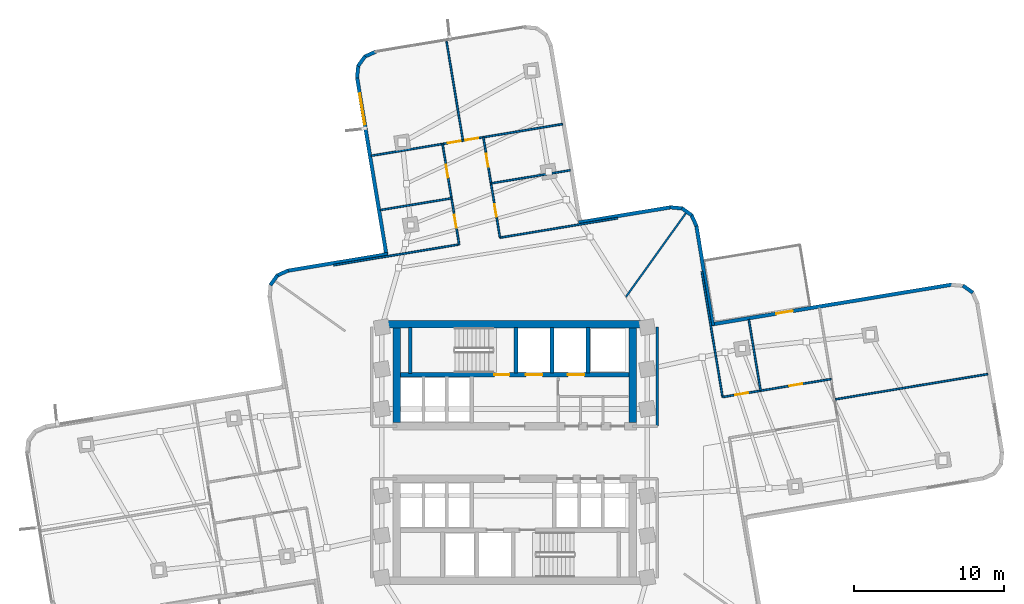
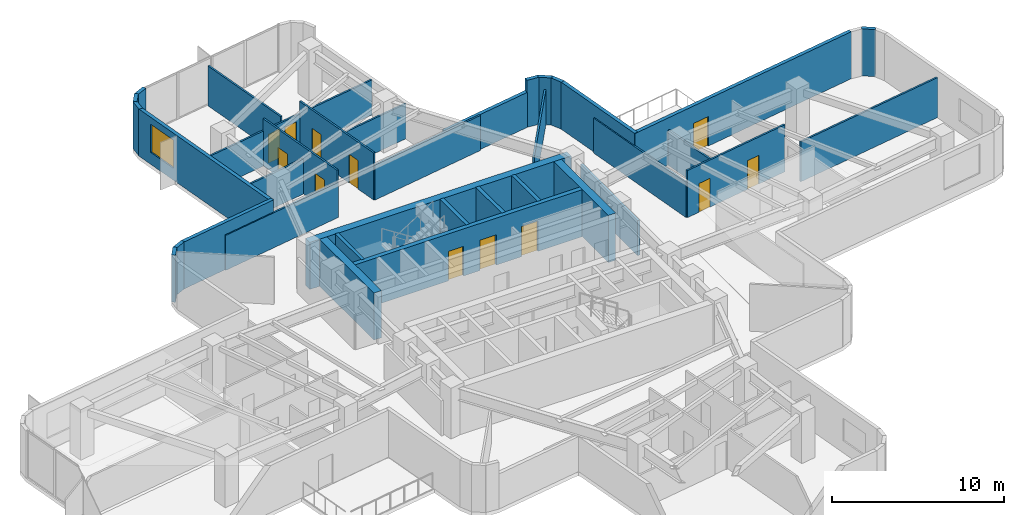
# One storey, part 9 of 13: 36 walls, 12 doors, 1 window, 13 openings.
"""IFC4 building model written with IfcOpenShell, lengths in metres."""

from ifc_helpers import new_model, si_unit, direction, frame, frame_2d, origin, place, context, subcontext, project, spatial, rectangle, extrude, material, layer, layer_set, type_object, element, fill, save


model = new_model("IFC4")

# Units and contexts
model_context = context("Model", 3, precision=1e-05, world=origin(), true_north=direction((0.0, 1.0)))
body_context = subcontext(model_context, "Body", "Model", "MODEL_VIEW")
ifc_project = project(units=[si_unit("LENGTHUNIT", "METRE"), si_unit("AREAUNIT", "SQUARE_METRE"), si_unit("VOLUMEUNIT", "CUBIC_METRE"), si_unit("PLANEANGLEUNIT", "RADIAN"), si_unit("MASSUNIT", "GRAM", prefix="KILO")], contexts=[model_context])

# Site, building, storey
site_placement = place(None, origin())
site = spatial("IfcSite", under=ifc_project, at=site_placement, CompositionType="ELEMENT")
building_placement = place(site_placement, origin())
building = spatial("IfcBuilding", under=site, at=building_placement, Name="Solmarez Civic Tower", CompositionType="ELEMENT")
storey_placement = place(building_placement, frame((0.0, 0.0, 96.47998046875)))
storey = spatial("IfcBuildingStorey", under=building, at=storey_placement, Name="L25", CompositionType="ELEMENT", Elevation=96.47998046875)

# Walls
ifc_material_1 = material(Name="Concrete C60/75", Category="concrete")
ifc_layer_1 = layer(ifc_material_1, 0.5)
ifc_layer_set_1 = layer_set([ifc_layer_1], Name="Concrete C60/75")
wall_type_1 = type_object("IfcWallType", Name="WALL-CORE-500", PredefinedType="SHEAR", material=ifc_layer_set_1)
wall_1_placement = place(storey_placement, frame((-8.780029296875, 8.56005859375, 0.0), z_axis=(0.0, 0.0, 1.0), x_axis=(1.0, 0.0, 0.0)))
element("IfcWall", 1, at=wall_1_placement, inside=storey, type_object=wall_type_1, Name="L25 Split-Core Structural Wall NCW-N-L25", PredefinedType="SHEAR", context=body_context, shape_type="SweptSolid", body=[
    extrude(rectangle(XDim=17.56005859375, YDim=0.5, at=frame_2d((8.780029296875, 0.0))), origin(), (0.0, 0.0, 1.0), 3.340087890625),
])
for number, where, z_axis, x_axis, name in (
    (2, (-7.8701171875, 2.0, 0.0), (0.0, 0.0, 1.0), (0.0, 1.0, 0.0), "L25 Split-Core Structural Wall NCW-W-L25"),
    (3, (7.8701171875, 8.31005859375, 0.0), (0.0, 0.0, 1.0), (0.0, -1.0, 0.0), "L25 Split-Core Structural Wall NCW-E-L25"),
):
    element("IfcWall", number, at=place(storey_placement, frame(where, z_axis=z_axis, x_axis=x_axis)), inside=storey, type_object=wall_type_1, Name=name, PredefinedType="SHEAR", context=body_context, shape_type="SweptSolid", body=[
        extrude(rectangle(XDim=6.31005859375, YDim=0.5, at=frame_2d((3.155029296875, 0.0))), origin(), (0.0, 0.0, 1.0), 3.340087890625),
    ])
ifc_material_2 = material(Name="Precast concrete C40/50", Category="concrete")
ifc_layer_2 = layer(ifc_material_2, 0.239990234375)
ifc_layer_set_2 = layer_set([ifc_layer_2], Name="Precast concrete C40/50")
wall_type_2 = type_object("IfcWallType", Name="WALL-EXT-240", PredefinedType="SOLIDWALL", material=ifc_layer_set_2)
wall_2_placement = place(storey_placement, frame((-16.2880859375, 11.159912109375, 0.0), z_axis=(0.0, 0.0, 1.0), x_axis=(0.583561896965, 0.812068662375, 0.0)))
element("IfcWall", 4, at=wall_2_placement, inside=storey, type_object=wall_type_2, Name="L25 Exterior Precast Wall 15", PredefinedType="SOLIDWALL", context=body_context, shape_type="SweptSolid", body=[
    extrude(rectangle(XDim=0.814208984375, YDim=0.239990234375, at=frame_2d((0.4072265625, 0.0))), origin(), (0.0, 0.0, 1.0), 3.340087890625),
])
wall_3_placement = place(storey_placement, frame((-15.85107421875, 11.791015625, 0.0), z_axis=(0.0, 0.0, 1.0), x_axis=(0.910868773958, 0.412696106872, 0.0)))
element("IfcWall", 5, at=wall_3_placement, inside=storey, type_object=wall_type_2, Name="L25 Exterior Precast Wall 16", PredefinedType="SOLIDWALL", context=body_context, shape_type="SweptSolid", body=[
    extrude(rectangle(XDim=0.8310546875, YDim=0.239990234375, at=frame_2d((0.41552734375, 0.0))), origin(), (0.0, 0.0, 1.0), 3.340087890625),
])
wall_4_placement = place(storey_placement, frame((-15.14208984375, 12.1201171875, 0.0), z_axis=(0.0, 0.0, 1.0), x_axis=(0.986586085056, 0.163241835244, 0.0)))
element("IfcWall", 6, at=wall_4_placement, inside=storey, type_object=wall_type_2, Name="L25 Exterior Precast Wall 17", PredefinedType="SOLIDWALL", context=body_context, shape_type="SweptSolid", body=[
    extrude(rectangle(XDim=6.77490234375, YDim=0.239990234375, at=frame_2d((3.387451171875, 0.0))), origin(), (0.0, 0.0, 1.0), 3.340087890625),
])

# Wall, opening, window
wall_5_placement = place(storey_placement, frame((-8.537109375, 13.114990234375, 0.0), z_axis=(0.0, 0.0, 1.0), x_axis=(-0.163290786455, 0.986577984276, 0.0)))
wall_5 = element("IfcWall", 7, at=wall_5_placement, inside=storey, type_object=wall_type_2, Name="L25 Exterior Precast Wall 20", PredefinedType="SOLIDWALL", context=body_context, shape_type="SweptSolid", body=[
    extrude(rectangle(XDim=12.076171875, YDim=0.239990234375, at=frame_2d((6.0380859375, 0.0))), origin(), (0.0, 0.0, 1.0), 3.340087890625),
])
opening_1_placement = place(wall_5_placement, frame((8.8759765625, 0.0, 0.85009765625)))
opening_1 = element("IfcOpeningElement", 8, at=opening_1_placement, cuts=wall_5, Name="Opening W-03", PredefinedType="OPENING", context=body_context, shape_type="SweptSolid", body=[
    extrude(rectangle(XDim=2.10009765625, YDim=2.0, at=frame_2d((1.050048828125, 1.0))), frame((0.0, 0.1298828125, 0.0), z_axis=(0.0, -1.0, 0.0), x_axis=(1.0, 0.0, 0.0)), (0.0, 0.0, 1.0), 0.260009765625),
])
ifc_material_3 = material(Name="Solar Control Bronze-Tinted Insulating Glass", Category="glass")
window_type = type_object("IfcWindowType", Name="WIN-2100X2000", PartitioningType="SINGLE_PANEL", PredefinedType="WINDOW", material=ifc_material_3)
window_placement = place(opening_1_placement, origin())
window = element("IfcWindow", 9, at=window_placement, inside=storey, type_object=window_type, Name="L25 Exterior Facade Window 20", OverallHeight=2.0, OverallWidth=2.10009765625, PartitioningType="SINGLE_PANEL", PredefinedType="WINDOW", context=body_context, shape_type="SweptSolid", body=[
    extrude(rectangle(XDim=2.10009765625, YDim=2.0, at=frame_2d((1.050048828125, 1.0))), frame((0.0, 0.030029296875, 0.0), z_axis=(0.0, -1.0, 0.0), x_axis=(1.0, 0.0, 0.0)), (0.0, 0.0, 1.0), 0.06005859375),
])
fill(opening_1, window)

# Walls
wall_6_placement = place(storey_placement, frame((-10.507080078125, 24.97900390625, 0.0), z_axis=(0.0, 0.0, 1.0), x_axis=(0.096389937095, 0.995343649212, 0.0)))
element("IfcWall", 10, at=wall_6_placement, inside=storey, type_object=wall_type_2, Name="L25 Exterior Precast Wall 21", PredefinedType="SOLIDWALL", context=body_context, shape_type="SweptSolid", body=[
    extrude(rectangle(XDim=0.830810546875, YDim=0.239990234375, at=frame_2d((0.41552734375, 0.0))), origin(), (0.0, 0.0, 1.0), 3.340087890625),
])
wall_7_placement = place(storey_placement, frame((-10.444091796875, 25.760986328125, 0.0), z_axis=(0.0, 0.0, 1.0), x_axis=(0.583561896965, 0.812068662375, 0.0)))
element("IfcWall", 11, at=wall_7_placement, inside=storey, type_object=wall_type_2, Name="L25 Exterior Precast Wall 22", PredefinedType="SOLIDWALL", context=body_context, shape_type="SweptSolid", body=[
    extrude(rectangle(XDim=0.814208984375, YDim=0.239990234375, at=frame_2d((0.4072265625, 0.0))), origin(), (0.0, 0.0, 1.0), 3.340087890625),
])
wall_8_placement = place(storey_placement, frame((-10.007080078125, 26.39208984375, 0.0), z_axis=(0.0, 0.0, 1.0), x_axis=(0.91142038271, 0.41147647075, 0.0)))
element("IfcWall", 12, at=wall_8_placement, inside=storey, type_object=wall_type_2, Name="L25 Exterior Precast Wall 23", PredefinedType="SOLIDWALL", context=body_context, shape_type="SweptSolid", body=[
    extrude(rectangle(XDim=0.83056640625, YDim=0.239990234375, at=frame_2d((0.415283203125, 0.0))), origin(), (0.0, 0.0, 1.0), 3.340087890625),
])
wall_9_placement = place(storey_placement, frame((4.27587890625, 15.3349609375, 0.0), z_axis=(0.0, 0.0, 1.0), x_axis=(0.986586851863, 0.16323720082, 0.0)))
element("IfcWall", 13, at=wall_9_placement, inside=storey, type_object=wall_type_2, Name="L25 Exterior Precast Wall 31", PredefinedType="SOLIDWALL", context=body_context, shape_type="SweptSolid", body=[
    extrude(rectangle(XDim=6.23681640625, YDim=0.239990234375, at=frame_2d((3.118408203125, 0.0))), origin(), (0.0, 0.0, 1.0), 2.486083984375),
])
wall_10_placement = place(storey_placement, frame((10.37890625, 16.35107421875, 0.0), z_axis=(0.0, 0.0, 1.0), x_axis=(0.995335447313, -0.096474594184, 0.0)))
element("IfcWall", 14, at=wall_10_placement, inside=storey, type_object=wall_type_2, Name="L25 Exterior Precast Wall 32", PredefinedType="SOLIDWALL", context=body_context, shape_type="SweptSolid", body=[
    extrude(rectangle(XDim=0.830078125, YDim=0.239990234375, at=frame_2d((0.4150390625, 0.0))), origin(), (0.0, 0.0, 1.0), 3.340087890625),
])
wall_11_placement = place(storey_placement, frame((11.159912109375, 16.2880859375, 0.0), z_axis=(0.0, 0.0, 1.0), x_axis=(0.812068662375, -0.583561896965, 0.0)))
element("IfcWall", 15, at=wall_11_placement, inside=storey, type_object=wall_type_2, Name="L25 Exterior Precast Wall 33", PredefinedType="SOLIDWALL", context=body_context, shape_type="SweptSolid", body=[
    extrude(rectangle(XDim=0.814208984375, YDim=0.239990234375, at=frame_2d((0.4072265625, 0.0))), origin(), (0.0, 0.0, 1.0), 3.340087890625),
])
wall_12_placement = place(storey_placement, frame((11.791015625, 15.85107421875, 0.0), z_axis=(0.0, 0.0, 1.0), x_axis=(0.412696106872, -0.910868773958, 0.0)))
element("IfcWall", 16, at=wall_12_placement, inside=storey, type_object=wall_type_2, Name="L25 Exterior Precast Wall 34", PredefinedType="SOLIDWALL", context=body_context, shape_type="SweptSolid", body=[
    extrude(rectangle(XDim=0.8310546875, YDim=0.239990234375, at=frame_2d((0.41552734375, 0.0))), origin(), (0.0, 0.0, 1.0), 3.340087890625),
])
wall_13_placement = place(storey_placement, frame((12.1201171875, 15.14208984375, 0.0), z_axis=(0.0, 0.0, 1.0), x_axis=(0.163241835244, -0.986586085056, 0.0)))
element("IfcWall", 17, at=wall_13_placement, inside=storey, type_object=wall_type_2, Name="L25 Exterior Precast Wall 35", PredefinedType="SOLIDWALL", context=body_context, shape_type="SweptSolid", body=[
    extrude(rectangle(XDim=6.77490234375, YDim=0.239990234375, at=frame_2d((3.387451171875, 0.0))), origin(), (0.0, 0.0, 1.0), 3.340087890625),
])

# Wall, opening, door
wall_14_placement = place(storey_placement, frame((13.114990234375, 8.537109375, 0.0), z_axis=(0.0, 0.0, 1.0), x_axis=(0.986576548161, 0.163299463007, 0.0)))
wall_14 = element("IfcWall", 18, at=wall_14_placement, inside=storey, type_object=wall_type_2, Name="L25 Exterior Precast Wall 38", PredefinedType="SOLIDWALL", context=body_context, shape_type="SweptSolid", body=[
    extrude(rectangle(XDim=16.276611328125, YDim=0.239990234375, at=frame_2d((8.13818359375, 0.0))), origin(), (0.0, 0.0, 1.0), 3.340087890625),
])
opening_2_placement = place(wall_14_placement, frame((4.39990234375, 0.0, 0.0)))
opening_2 = element("IfcOpeningElement", 19, at=opening_2_placement, cuts=wall_14, Name="Opening D-06", PredefinedType="OPENING", context=body_context, shape_type="SweptSolid", body=[
    extrude(rectangle(XDim=1.10009765625, YDim=2.10009765625, at=frame_2d((0.550048828125, 1.050048828125))), frame((0.0, 0.1298828125, 0.0), z_axis=(0.0, -1.0, 0.0), x_axis=(1.0, 0.0, 0.0)), (0.0, 0.0, 1.0), 0.260009765625),
])
ifc_material_4 = material(Name="Bronze Anodised Aluminium Glazed Terrace Door", Category="aluminium")
door_type_1 = type_object("IfcDoorType", Name="DOOR-TERR-1100", OperationType="NOTDEFINED", PredefinedType="DOOR", material=ifc_material_4)
door_1_placement = place(opening_2_placement, origin())
door_1 = element("IfcDoor", 20, at=door_1_placement, inside=storey, type_object=door_type_1, Name="L25 Outdoor Terrace Glazed Door", OperationType="SINGLE_SWING_RIGHT", OverallHeight=2.10009765625, OverallWidth=1.10009765625, PredefinedType="DOOR", context=body_context, shape_type="SweptSolid", body=[
    extrude(rectangle(XDim=1.10009765625, YDim=2.10009765625, at=frame_2d((0.550048828125, 1.050048828125))), frame((0.0, 0.02490234375, 0.0), z_axis=(0.0, -1.0, 0.0), x_axis=(1.0, 0.0, 0.0)), (0.0, 0.0, 1.0), 0.050048828125),
])
fill(opening_2, door_1)

# Walls
wall_15_placement = place(storey_placement, frame((29.904052734375, 11.1298828125, 0.0), z_axis=(0.0, 0.0, 1.0), x_axis=(0.812516648433, -0.582937986427, 0.0)))
element("IfcWall", 21, at=wall_15_placement, inside=storey, type_object=wall_type_2, Name="L25 Exterior Precast Wall 40", PredefinedType="SOLIDWALL", context=body_context, shape_type="SweptSolid", body=[
    extrude(rectangle(XDim=0.814697265625, YDim=0.239990234375, at=frame_2d((0.4072265625, 0.0))), origin(), (0.0, 0.0, 1.0), 3.340087890625),
])
ifc_material_5 = material(Name="Gypsum Board Acoustic Steel-Stud Partition", Category="steel")
ifc_layer_3 = layer(ifc_material_5, 0.14990234375)
ifc_layer_set_3 = layer_set([ifc_layer_3], Name="Gypsum Board Acoustic Steel-Stud Partition")
wall_type_3 = type_object("IfcWallType", Name="WALL-INT-FIRE-150", PredefinedType="PARTITIONING", material=ifc_layer_set_3)
wall_16_placement = place(storey_placement, frame((9.52001953125, 1.75, 0.0), z_axis=(0.0, 0.0, 1.0), x_axis=(0.0, 1.0, 0.0)))
element("IfcWall", 22, at=wall_16_placement, inside=storey, type_object=wall_type_3, Name="L25 Interior Partition CHW-L25-EN1", PredefinedType="PARTITIONING", context=body_context, shape_type="SweptSolid", body=[
    extrude(rectangle(XDim=6.6298828125, YDim=0.14990234375, at=frame_2d((3.31494140625, 0.0))), origin(), (0.0, 0.0, 1.0), 2.486083984375),
])
ifc_layer_4 = layer(ifc_material_5, 0.1201171875)
ifc_layer_set_4 = layer_set([ifc_layer_4], Name="Gypsum Board Acoustic Steel-Stud Partition")
wall_type_4 = type_object("IfcWallType", Name="WALL-INT-PART-120", PredefinedType="PARTITIONING", material=ifc_layer_set_4)
wall_17_placement = place(storey_placement, frame((7.430908203125, 10.3798828125, 0.0), z_axis=(0.0, 0.0, 1.0), x_axis=(0.582126278944, 0.813098392178, 0.0)))
element("IfcWall", 23, at=wall_17_placement, inside=storey, type_object=wall_type_4, Name="L25 Interior Partition PT-L25-QDIV-1", PredefinedType="PARTITIONING", context=body_context, shape_type="SweptSolid", body=[
    extrude(rectangle(XDim=6.888671875, YDim=0.1201171875, at=frame_2d((3.4443359375, 0.0))), origin(), (0.0, 0.0, 1.0), 2.486083984375),
])
wall_18_placement = place(storey_placement, frame((13.8740234375, 3.68603515625, 0.0), z_axis=(0.0, 0.0, 1.0), x_axis=(-0.163270245909, 0.98658138377, 0.0)))
element("IfcWall", 24, at=wall_18_placement, inside=storey, type_object=wall_type_4, Name="L25 Interior Partition PT-L25-E-EFL", PredefinedType="PARTITIONING", context=body_context, shape_type="SweptSolid", body=[
    extrude(rectangle(XDim=8.489013671875, YDim=0.1201171875, at=frame_2d((4.24462890625, 0.0))), origin(), (0.0, 0.0, 1.0), 2.486083984375),
])
wall_19_placement = place(storey_placement, frame((16.405029296875, 4.135009765625, 0.0), z_axis=(0.0, 0.0, 1.0), x_axis=(-0.163276056047, 0.986580422227, 0.0)))
element("IfcWall", 25, at=wall_19_placement, inside=storey, type_object=wall_type_4, Name="L25 Interior Partition PT-L25-E-LM", PredefinedType="PARTITIONING", context=body_context, shape_type="SweptSolid", body=[
    extrude(rectangle(XDim=4.79541015625, YDim=0.1201171875, at=frame_2d((2.397705078125, 0.0))), origin(), (0.0, 0.0, 1.0), 2.486083984375),
])

# Wall, openings, doors
wall_20_placement = place(storey_placement, frame((21.114013671875, 4.89404296875, 0.0), z_axis=(0.0, 0.0, 1.0), x_axis=(-0.986566884893, -0.163357833093, 0.0)))
wall_20 = element("IfcWall", 26, at=wall_20_placement, inside=storey, type_object=wall_type_4, Name="L25 Interior Partition PT-L25-E-SL", PredefinedType="PARTITIONING", context=body_context, shape_type="SweptSolid", body=[
    extrude(rectangle(XDim=7.339599609375, YDim=0.1201171875, at=frame_2d((3.669921875, 0.0))), origin(), (0.0, 0.0, 1.0), 3.340087890625),
])
opening_3_placement = place(wall_20_placement, frame((5.625, 0.0, 0.0)))
opening_3 = element("IfcOpeningElement", 27, at=opening_3_placement, cuts=wall_20, Name="Opening D-14", PredefinedType="OPENING", context=body_context, shape_type="SweptSolid", body=[
    extrude(rectangle(XDim=0.860107421875, YDim=2.0400390625, at=frame_2d((0.43017578125, 1.02001953125))), frame((0.0, 0.070068359375, 0.0), z_axis=(0.0, -1.0, 0.0), x_axis=(1.0, 0.0, 0.0)), (0.0, 0.0, 1.0), 0.14013671875),
])
opening_4_placement = place(wall_20_placement, frame((1.955078125, 0.0, 0.0)))
opening_4 = element("IfcOpeningElement", 28, at=opening_4_placement, cuts=wall_20, Name="Opening D-14", PredefinedType="OPENING", context=body_context, shape_type="SweptSolid", body=[
    extrude(rectangle(XDim=0.860107421875, YDim=2.0400390625, at=frame_2d((0.43017578125, 1.02001953125))), frame((0.0, 0.070068359375, 0.0), z_axis=(0.0, -1.0, 0.0), x_axis=(1.0, 0.0, 0.0)), (0.0, 0.0, 1.0), 0.14013671875),
])
ifc_material_6 = material(Name="Timber Storage and Pantry Door", Category="wood")
door_type_2 = type_object("IfcDoorType", Name="DOOR-INT-850", OperationType="NOTDEFINED", PredefinedType="DOOR", material=ifc_material_6)
door_2_placement = place(opening_3_placement, origin())
door_2 = element("IfcDoor", 29, at=door_2_placement, inside=storey, type_object=door_type_2, Name="L25 Public Exhibition Library First East Door", OperationType="SINGLE_SWING_LEFT", OverallHeight=2.0400390625, OverallWidth=0.860107421875, PredefinedType="DOOR", context=body_context, shape_type="SweptSolid", body=[
    extrude(rectangle(XDim=0.860107421875, YDim=2.0400390625, at=frame_2d((0.43017578125, 1.02001953125))), frame((0.0, 0.02490234375, 0.0), z_axis=(0.0, -1.0, 0.0), x_axis=(1.0, 0.0, 0.0)), (0.0, 0.0, 1.0), 0.050048828125),
])
fill(opening_3, door_2)
door_3_placement = place(opening_4_placement, origin())
door_3 = element("IfcDoor", 30, at=door_3_placement, inside=storey, type_object=door_type_2, Name="L25 Civic Lecture Classroom Second East Door", OperationType="SINGLE_SWING_RIGHT", OverallHeight=2.0400390625, OverallWidth=0.860107421875, PredefinedType="DOOR", context=body_context, shape_type="SweptSolid", body=[
    extrude(rectangle(XDim=0.860107421875, YDim=2.0400390625, at=frame_2d((0.43017578125, 1.02001953125))), frame((0.0, 0.02490234375, 0.0), z_axis=(0.0, -1.0, 0.0), x_axis=(1.0, 0.0, 0.0)), (0.0, 0.0, 1.0), 0.050048828125),
])
fill(opening_4, door_3)

# Walls
wall_21_placement = place(storey_placement, frame((21.39892578125, 3.54296875, 0.0), z_axis=(0.0, 0.0, 1.0), x_axis=(0.986570089658, 0.16333847738, 0.0)))
element("IfcWall", 31, at=wall_21_placement, inside=storey, type_object=wall_type_4, Name="L25 Interior Partition PT-L25-E-TM", PredefinedType="PARTITIONING", context=body_context, shape_type="SweptSolid", body=[
    extrude(rectangle(XDim=10.304443359375, YDim=0.1201171875, at=frame_2d((5.15234375, 0.0))), origin(), (0.0, 0.0, 1.0), 2.83203125),
])
wall_22_placement = place(storey_placement, frame((-3.68603515625, 13.8740234375, 0.0), z_axis=(0.0, 0.0, 1.0), x_axis=(-0.98658138377, -0.163270245909, 0.0)))
element("IfcWall", 32, at=wall_22_placement, inside=storey, type_object=wall_type_4, Name="L25 Interior Partition PT-L25-N-EFL", PredefinedType="PARTITIONING", context=body_context, shape_type="SweptSolid", body=[
    extrude(rectangle(XDim=8.489013671875, YDim=0.1201171875, at=frame_2d((4.24462890625, 0.0))), origin(), (0.0, 0.0, 1.0), 2.486083984375),
])
wall_23_placement = place(storey_placement, frame((6.860107421875, 15.6201171875, 0.0), z_axis=(0.0, 0.0, 1.0), x_axis=(-0.986575116384, -0.16330811288, 0.0)))
element("IfcWall", 33, at=wall_23_placement, inside=storey, type_object=wall_type_4, Name="L25 Interior Partition PT-L25-N-EFR", PredefinedType="PARTITIONING", context=body_context, shape_type="SweptSolid", body=[
    extrude(rectangle(XDim=7.94873046875, YDim=0.1201171875, at=frame_2d((3.974365234375, 0.0))), origin(), (0.0, 0.0, 1.0), 2.486083984375),
])
wall_24_placement = place(storey_placement, frame((-4.22509765625, 16.947998046875, 0.0), z_axis=(0.0, 0.0, 1.0), x_axis=(-0.986542154764, -0.163507115668, 0.0)))
element("IfcWall", 34, at=wall_24_placement, inside=storey, type_object=wall_type_4, Name="L25 Interior Partition PT-L25-N-LM", PredefinedType="PARTITIONING", context=body_context, shape_type="SweptSolid", body=[
    extrude(rectangle(XDim=4.79443359375, YDim=0.1201171875, at=frame_2d((2.397216796875, 0.0))), origin(), (0.0, 0.0, 1.0), 2.486083984375),
])
wall_25_placement = place(storey_placement, frame((3.7109375, 18.819091796875, 0.0), z_axis=(0.0, 0.0, 1.0), x_axis=(-0.986548097851, -0.163471253213, 0.0)))
element("IfcWall", 35, at=wall_25_placement, inside=storey, type_object=wall_type_4, Name="L25 Interior Partition PT-L25-N-RM", PredefinedType="PARTITIONING", context=body_context, shape_type="SweptSolid", body=[
    extrude(rectangle(XDim=5.334716796875, YDim=0.1201171875, at=frame_2d((2.66748046875, 0.0))), origin(), (0.0, 0.0, 1.0), 2.486083984375),
])

# Wall, openings, doors
wall_26_placement = place(storey_placement, frame((-4.803955078125, 20.572021484375, 0.0), z_axis=(0.0, 0.0, 1.0), x_axis=(0.163308569386, -0.986575040818, 0.0)))
wall_26 = element("IfcWall", 36, at=wall_26_placement, inside=storey, type_object=wall_type_4, Name="L25 Interior Partition PT-L25-N-SL", PredefinedType="PARTITIONING", context=body_context, shape_type="SweptSolid", body=[
    extrude(rectangle(XDim=6.7900390625, YDim=0.1201171875, at=frame_2d((3.39501953125, 0.0))), origin(), (0.0, 0.0, 1.0), 3.340087890625),
])
opening_5_placement = place(wall_26_placement, frame((4.800048828125, 0.0, 0.0)))
opening_5 = element("IfcOpeningElement", 37, at=opening_5_placement, cuts=wall_26, Name="Opening D-14", PredefinedType="OPENING", context=body_context, shape_type="SweptSolid", body=[
    extrude(rectangle(XDim=0.860107421875, YDim=2.0400390625, at=frame_2d((0.43017578125, 1.02001953125))), frame((0.0, 0.070068359375, 0.0), z_axis=(0.0, -1.0, 0.0), x_axis=(1.0, 0.0, 0.0)), (0.0, 0.0, 1.0), 0.14013671875),
])
opening_6_placement = place(wall_26_placement, frame((1.405029296875, 0.0, 0.0)))
opening_6 = element("IfcOpeningElement", 38, at=opening_6_placement, cuts=wall_26, Name="Opening D-14", PredefinedType="OPENING", context=body_context, shape_type="SweptSolid", body=[
    extrude(rectangle(XDim=0.860107421875, YDim=2.0400390625, at=frame_2d((0.43017578125, 1.02001953125))), frame((0.0, 0.070068359375, 0.0), z_axis=(0.0, -1.0, 0.0), x_axis=(1.0, 0.0, 0.0)), (0.0, 0.0, 1.0), 0.14013671875),
])
door_4_placement = place(opening_5_placement, origin())
door_4 = element("IfcDoor", 39, at=door_4_placement, inside=storey, type_object=door_type_2, Name="L25 Civic Lecture Classroom First North Door", OperationType="SINGLE_SWING_LEFT", OverallHeight=2.0400390625, OverallWidth=0.860107421875, PredefinedType="DOOR", context=body_context, shape_type="SweptSolid", body=[
    extrude(rectangle(XDim=0.860107421875, YDim=2.0400390625, at=frame_2d((0.43017578125, 1.02001953125))), frame((0.0, 0.02490234375, 0.0), z_axis=(0.0, -1.0, 0.0), x_axis=(1.0, 0.0, 0.0)), (0.0, 0.0, 1.0), 0.050048828125),
])
fill(opening_5, door_4)
door_5_placement = place(opening_6_placement, origin())
door_5 = element("IfcDoor", 40, at=door_5_placement, inside=storey, type_object=door_type_2, Name="L25 Press Study Room Second North Door", OperationType="SINGLE_SWING_RIGHT", OverallHeight=2.0400390625, OverallWidth=0.860107421875, PredefinedType="DOOR", context=body_context, shape_type="SweptSolid", body=[
    extrude(rectangle(XDim=0.860107421875, YDim=2.0400390625, at=frame_2d((0.43017578125, 1.02001953125))), frame((0.0, 0.02490234375, 0.0), z_axis=(0.0, -1.0, 0.0), x_axis=(1.0, 0.0, 0.0)), (0.0, 0.0, 1.0), 0.050048828125),
])
fill(opening_6, door_5)

wall_27_placement = place(storey_placement, frame((-0.971923828125, 14.323974609375, 0.0), z_axis=(0.0, 0.0, 1.0), x_axis=(-0.163366745174, 0.98656540917, 0.0)))
wall_27 = element("IfcWall", 41, at=wall_27_placement, inside=storey, type_object=wall_type_4, Name="L25 Interior Partition PT-L25-N-SR", PredefinedType="PARTITIONING", context=body_context, shape_type="SweptSolid", body=[
    extrude(rectangle(XDim=6.789306640625, YDim=0.1201171875, at=frame_2d((3.39453125, 0.0))), origin(), (0.0, 0.0, 1.0), 3.340087890625),
])
opening_7_placement = place(wall_27_placement, frame((1.405029296875, 0.0, 0.0)))
opening_7 = element("IfcOpeningElement", 42, at=opening_7_placement, cuts=wall_27, Name="Opening D-14", PredefinedType="OPENING", context=body_context, shape_type="SweptSolid", body=[
    extrude(rectangle(XDim=0.860107421875, YDim=2.0400390625, at=frame_2d((0.43017578125, 1.02001953125))), frame((0.0, 0.070068359375, 0.0), z_axis=(0.0, -1.0, 0.0), x_axis=(1.0, 0.0, 0.0)), (0.0, 0.0, 1.0), 0.14013671875),
])
opening_8_placement = place(wall_27_placement, frame((4.800048828125, 0.0, 0.0)))
opening_8 = element("IfcOpeningElement", 43, at=opening_8_placement, cuts=wall_27, Name="Opening D-14", PredefinedType="OPENING", context=body_context, shape_type="SweptSolid", body=[
    extrude(rectangle(XDim=0.860107421875, YDim=2.0400390625, at=frame_2d((0.43017578125, 1.02001953125))), frame((0.0, 0.070068359375, 0.0), z_axis=(0.0, -1.0, 0.0), x_axis=(1.0, 0.0, 0.0)), (0.0, 0.0, 1.0), 0.14013671875),
])
door_6_placement = place(opening_7_placement, origin())
door_6 = element("IfcDoor", 44, at=door_6_placement, inside=storey, type_object=door_type_2, Name="L25 Catering Pantry Third North Door", OperationType="SINGLE_SWING_RIGHT", OverallHeight=2.0400390625, OverallWidth=0.860107421875, PredefinedType="DOOR", context=body_context, shape_type="SweptSolid", body=[
    extrude(rectangle(XDim=0.860107421875, YDim=2.0400390625, at=frame_2d((0.43017578125, 1.02001953125))), frame((0.0, 0.02490234375, 0.0), z_axis=(0.0, -1.0, 0.0), x_axis=(1.0, 0.0, 0.0)), (0.0, 0.0, 1.0), 0.050048828125),
])
fill(opening_7, door_6)
door_7_placement = place(opening_8_placement, origin())
door_7 = element("IfcDoor", 45, at=door_7_placement, inside=storey, type_object=door_type_2, Name="L25 Public Exhibition Library Fourth North Door", OperationType="SINGLE_SWING_LEFT", OverallHeight=2.0400390625, OverallWidth=0.860107421875, PredefinedType="DOOR", context=body_context, shape_type="SweptSolid", body=[
    extrude(rectangle(XDim=0.860107421875, YDim=2.0400390625, at=frame_2d((0.43017578125, 1.02001953125))), frame((0.0, 0.02490234375, 0.0), z_axis=(0.0, -1.0, 0.0), x_axis=(1.0, 0.0, 0.0)), (0.0, 0.0, 1.0), 0.050048828125),
])
fill(opening_8, door_7)

# Wall
wall_28_placement = place(storey_placement, frame((-3.452880859375, 20.85595703125, 0.0), z_axis=(0.0, 0.0, 1.0), x_axis=(-0.163346014225, 0.986568841813, 0.0)))
element("IfcWall", 46, at=wall_28_placement, inside=storey, type_object=wall_type_4, Name="L25 Interior Partition PT-L25-N-TM", PredefinedType="PARTITIONING", context=body_context, shape_type="SweptSolid", body=[
    extrude(rectangle(XDim=6.655517578125, YDim=0.1201171875, at=frame_2d((3.32763671875, 0.0))), origin(), (0.0, 0.0, 1.0), 2.83203125),
])

# Wall, openings, doors
wall_29_placement = place(storey_placement, frame((-9.554931640625, 19.785888671875, 0.0), z_axis=(0.0, 0.0, 1.0), x_axis=(0.98658208559, 0.163266005016, 0.0)))
wall_29 = element("IfcWall", 47, at=wall_29_placement, inside=storey, type_object=wall_type_4, Name="L25 Interior Partition PT-L25-N-END", PredefinedType="PARTITIONING", context=body_context, shape_type="SweptSolid", body=[
    extrude(rectangle(XDim=12.930419921875, YDim=0.1201171875, at=frame_2d((6.46533203125, 0.0))), origin(), (0.0, 0.0, 1.0), 2.486083984375),
])
opening_9_placement = place(wall_29_placement, frame((6.364990234375, 0.0, 0.0)))
opening_9 = element("IfcOpeningElement", 48, at=opening_9_placement, cuts=wall_29, Name="Opening D-14", PredefinedType="OPENING", context=body_context, shape_type="SweptSolid", body=[
    extrude(rectangle(XDim=0.860107421875, YDim=2.0400390625, at=frame_2d((0.43017578125, 1.02001953125))), frame((0.0, 0.070068359375, 0.0), z_axis=(0.0, -1.0, 0.0), x_axis=(1.0, 0.0, 0.0)), (0.0, 0.0, 1.0), 0.14013671875),
])
opening_10_placement = place(wall_29_placement, frame((5.1650390625, 0.0, 0.0)))
opening_10 = element("IfcOpeningElement", 49, at=opening_10_placement, cuts=wall_29, Name="Opening D-14", PredefinedType="OPENING", context=body_context, shape_type="SweptSolid", body=[
    extrude(rectangle(XDim=0.860107421875, YDim=2.0400390625, at=frame_2d((0.43017578125, 1.02001953125))), frame((0.0, 0.070068359375, 0.0), z_axis=(0.0, -1.0, 0.0), x_axis=(1.0, 0.0, 0.0)), (0.0, 0.0, 1.0), 0.14013671875),
])
door_8_placement = place(opening_9_placement, origin())
door_8 = element("IfcDoor", 50, at=door_8_placement, inside=storey, type_object=door_type_2, Name="L25 Public Exhibition Library Sixth North Door", OperationType="SINGLE_SWING_RIGHT", OverallHeight=2.0400390625, OverallWidth=0.860107421875, PredefinedType="DOOR", context=body_context, shape_type="SweptSolid", body=[
    extrude(rectangle(XDim=0.860107421875, YDim=2.0400390625, at=frame_2d((0.43017578125, 1.02001953125))), frame((0.0, 0.02490234375, 0.0), z_axis=(0.0, -1.0, 0.0), x_axis=(1.0, 0.0, 0.0)), (0.0, 0.0, 1.0), 0.050048828125),
])
fill(opening_9, door_8)
door_9_placement = place(opening_10_placement, origin())
door_9 = element("IfcDoor", 51, at=door_9_placement, inside=storey, type_object=door_type_2, Name="L25 Catering Pantry Fifth North Door", OperationType="SINGLE_SWING_LEFT", OverallHeight=2.0400390625, OverallWidth=0.860107421875, PredefinedType="DOOR", context=body_context, shape_type="SweptSolid", body=[
    extrude(rectangle(XDim=0.860107421875, YDim=2.0400390625, at=frame_2d((0.43017578125, 1.02001953125))), frame((0.0, 0.02490234375, 0.0), z_axis=(0.0, -1.0, 0.0), x_axis=(1.0, 0.0, 0.0)), (0.0, 0.0, 1.0), 0.050048828125),
])
fill(opening_10, door_9)

ifc_material_7 = material(Name="Concrete C50/60", Category="concrete")
ifc_layer_5 = layer(ifc_material_7, 0.300048828125)
ifc_layer_set_5 = layer_set([ifc_layer_5], Name="Concrete C50/60")
wall_type_5 = type_object("IfcWallType", Name="WALL-STR-300", PredefinedType="SOLIDWALL", material=ifc_layer_set_5)
wall_30_placement = place(storey_placement, frame((7.6201171875, 5.179931640625, 0.0), z_axis=(0.0, 0.0, 1.0), x_axis=(-1.0, 0.0, 0.0)))
wall_30 = element("IfcWall", 52, at=wall_30_placement, inside=storey, type_object=wall_type_5, Name="L25 Split-Core Structural Wall NCW-M-L25", PredefinedType="SOLIDWALL", context=body_context, shape_type="SweptSolid", body=[
    extrude(rectangle(XDim=15.240234375, YDim=0.300048828125, at=frame_2d((7.6201171875, 0.0))), origin(), (0.0, 0.0, 1.0), 3.340087890625),
])
opening_11_placement = place(wall_30_placement, frame((5.77001953125, 0.0, 0.0)))
opening_11 = element("IfcOpeningElement", 53, at=opening_11_placement, cuts=wall_30, Name="Opening LD-02", PredefinedType="OPENING", context=body_context, shape_type="SweptSolid", body=[
    extrude(rectangle(XDim=1.10009765625, YDim=2.14990234375, at=frame_2d((0.550048828125, 1.074951171875))), frame((0.0, 0.159912109375, 0.0), z_axis=(0.0, -1.0, 0.0), x_axis=(1.0, 0.0, 0.0)), (0.0, 0.0, 1.0), 0.320068359375),
])
opening_12_placement = place(wall_30_placement, frame((2.969970703125, 0.0, 0.0)))
opening_12 = element("IfcOpeningElement", 54, at=opening_12_placement, cuts=wall_30, Name="Opening LD-03", PredefinedType="OPENING", context=body_context, shape_type="SweptSolid", body=[
    extrude(rectangle(XDim=1.10009765625, YDim=2.14990234375, at=frame_2d((0.550048828125, 1.074951171875))), frame((0.0, 0.159912109375, 0.0), z_axis=(0.0, -1.0, 0.0), x_axis=(1.0, 0.0, 0.0)), (0.0, 0.0, 1.0), 0.320068359375),
])
opening_13_placement = place(wall_30_placement, frame((7.969970703125, 0.0, 0.0)))
opening_13 = element("IfcOpeningElement", 55, at=opening_13_placement, cuts=wall_30, Name="Opening D-05", PredefinedType="OPENING", context=body_context, shape_type="SweptSolid", body=[
    extrude(rectangle(XDim=1.0, YDim=2.10009765625, at=frame_2d((0.5, 1.050048828125))), frame((0.0, 0.159912109375, 0.0), z_axis=(0.0, -1.0, 0.0), x_axis=(1.0, 0.0, 0.0)), (0.0, 0.0, 1.0), 0.320068359375),
])
ifc_material_8 = material(Name="Fire-Rated Stairwell Exit Door", Category="wood")
door_type_3 = type_object("IfcDoorType", Name="DOOR-FD90-1000", OperationType="NOTDEFINED", PredefinedType="DOOR", material=ifc_material_8)
door_10_placement = place(opening_13_placement, origin())
door_10 = element("IfcDoor", 56, at=door_10_placement, inside=storey, type_object=door_type_3, Name="L25 North Exit Stair Door ST-1", OperationType="SINGLE_SWING_RIGHT", OverallHeight=2.10009765625, OverallWidth=1.0, PredefinedType="DOOR", context=body_context, shape_type="SweptSolid", body=[
    extrude(rectangle(XDim=1.0, YDim=2.10009765625, at=frame_2d((0.5, 1.050048828125))), frame((0.0, 0.02490234375, 0.0), z_axis=(0.0, -1.0, 0.0), x_axis=(1.0, 0.0, 0.0)), (0.0, 0.0, 1.0), 0.050048828125),
])
fill(opening_13, door_10)
ifc_material_9 = material(Name="Stainless Firefighting Lift Landing Sliding Door", Category="aluminium")
door_type_4 = type_object("IfcDoorType", Name="DOOR-LD-FF-1100", OperationType="DOUBLE_DOOR_SLIDING", PredefinedType="DOOR", material=ifc_material_9)
door_11_placement = place(opening_11_placement, origin())
door_11 = element("IfcDoor", 57, at=door_11_placement, inside=storey, type_object=door_type_4, Name="L25 Firefighting Lift Landing Door FFL-1", OperationType="DOUBLE_DOOR_SLIDING", OverallHeight=2.14990234375, OverallWidth=1.10009765625, PredefinedType="DOOR", context=body_context, shape_type="SweptSolid", body=[
    extrude(rectangle(XDim=1.10009765625, YDim=2.14990234375, at=frame_2d((0.550048828125, 1.074951171875))), frame((0.0, 0.02490234375, 0.0), z_axis=(0.0, -1.0, 0.0), x_axis=(1.0, 0.0, 0.0)), (0.0, 0.0, 1.0), 0.050048828125),
])
fill(opening_11, door_11)
ifc_material_10 = material(Name="Stainless Stretcher Lift Landing Sliding Door", Category="aluminium")
door_type_5 = type_object("IfcDoorType", Name="DOOR-LD-SV-1100", OperationType="DOUBLE_DOOR_SLIDING", PredefinedType="DOOR", material=ifc_material_10)
door_12_placement = place(opening_12_placement, origin())
door_12 = element("IfcDoor", 58, at=door_12_placement, inside=storey, type_object=door_type_5, Name="L25 Service Stretcher Lift Landing Door SVL-1", OperationType="DOUBLE_DOOR_SLIDING", OverallHeight=2.14990234375, OverallWidth=1.10009765625, PredefinedType="DOOR", context=body_context, shape_type="SweptSolid", body=[
    extrude(rectangle(XDim=1.10009765625, YDim=2.14990234375, at=frame_2d((0.550048828125, 1.074951171875))), frame((0.0, 0.02490234375, 0.0), z_axis=(0.0, -1.0, 0.0), x_axis=(1.0, 0.0, 0.0)), (0.0, 0.0, 1.0), 0.050048828125),
])
fill(opening_12, door_12)

# Walls
wall_31_placement = place(storey_placement, frame((-6.949951171875, 5.280029296875, 0.0), z_axis=(0.0, 0.0, 1.0), x_axis=(0.0, 1.0, 0.0)))
element("IfcWall", 59, at=wall_31_placement, inside=storey, type_object=wall_type_5, Name="L25 Split-Core Structural Wall SHW-NW-L25", PredefinedType="SOLIDWALL", context=body_context, shape_type="SweptSolid", body=[
    extrude(rectangle(XDim=3.06005859375, YDim=0.219970703125, at=frame_2d((1.530029296875, 0.0))), origin(), (0.0, 0.0, 1.0), 3.340087890625),
])
for number, where, z_axis, x_axis, name in (
    (60, (0.10009765625, 5.300048828125, 0.0), (0.0, 0.0, 1.0), (0.0, 1.0, 0.0), "L25 Split-Core Structural Wall SHW-N1-L25"),
    (61, (2.5, 5.300048828125, 0.0), (0.0, 0.0, 1.0), (0.0, 1.0, 0.0), "L25 Split-Core Structural Wall SHW-N2-L25"),
    (62, (4.89990234375, 5.300048828125, 0.0), (0.0, 0.0, 1.0), (0.0, 1.0, 0.0), "L25 Split-Core Structural Wall SHW-N3-L25"),
):
    element("IfcWall", number, at=place(storey_placement, frame(where, z_axis=z_axis, x_axis=x_axis)), inside=storey, type_object=wall_type_5, Name=name, PredefinedType="SOLIDWALL", context=body_context, shape_type="SweptSolid", body=[
        extrude(rectangle(XDim=3.0400390625, YDim=0.25, at=frame_2d((1.52001953125, 0.0))), origin(), (0.0, 0.0, 1.0), 3.340087890625),
    ])

save(model, "model.ifc")
